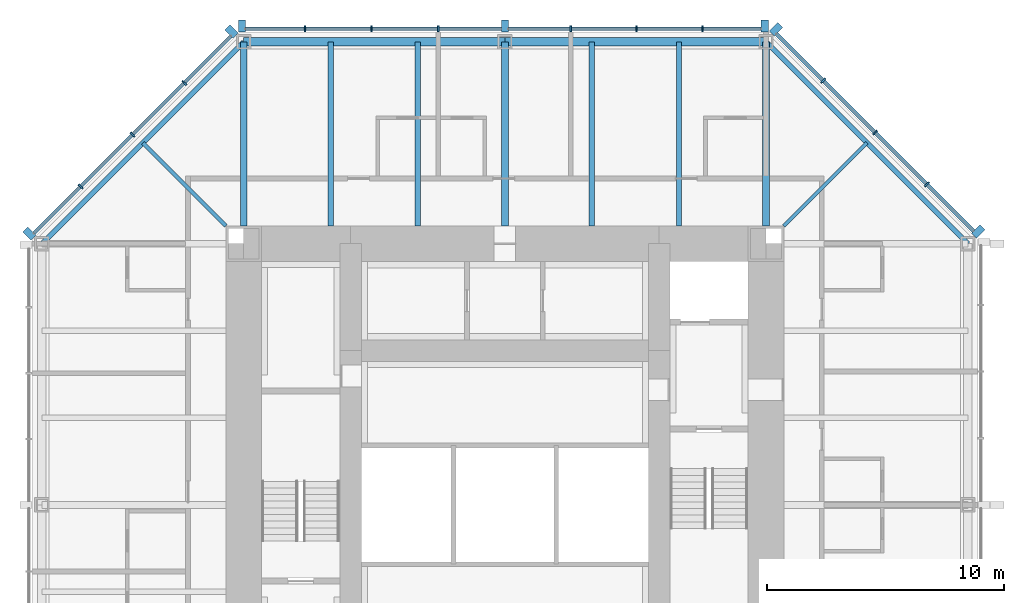
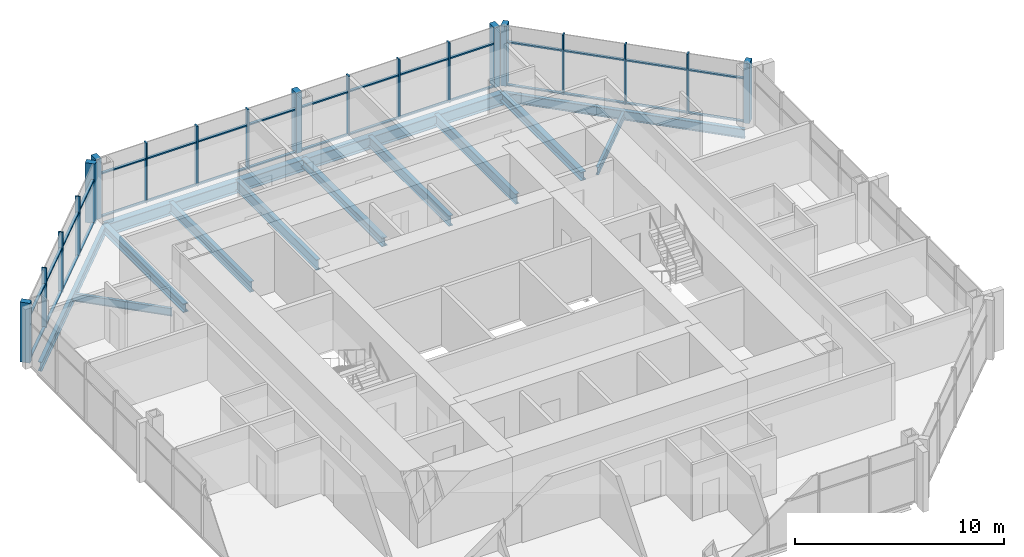
# One storey, part 5 of 11: 51 members, 13 beams, 3 elements without a shape of their own.
"""IFC4 building model written with IfcOpenShell, lengths in metres."""

from ifc_helpers import new_model, si_unit, direction, frame, origin, origin_2d, place, context, subcontext, project, spatial, rectangle, i_section, extrude, material, material_profile, profile_set, type_object, element, aggregate, save


model = new_model("IFC4")

# Units and contexts
model_context = context("Model", 3, precision=1e-05, world=origin(), true_north=direction((0.0, 1.0)))
body_context = subcontext(model_context, "Body", "Model", "MODEL_VIEW")
ifc_project = project(units=[si_unit("LENGTHUNIT", "METRE"), si_unit("AREAUNIT", "SQUARE_METRE"), si_unit("VOLUMEUNIT", "CUBIC_METRE"), si_unit("PLANEANGLEUNIT", "RADIAN"), si_unit("MASSUNIT", "GRAM", prefix="KILO")], contexts=[model_context])

# Site, building, storey
site_placement = place(None, origin())
site = spatial("IfcSite", under=ifc_project, at=site_placement, CompositionType="ELEMENT")
building_placement = place(site_placement, origin())
building = spatial("IfcBuilding", under=site, at=building_placement, Name="Trevanion Tower", CompositionType="ELEMENT")
storey_placement = place(building_placement, frame((0.0, 0.0, 218.699951171875)))
storey = spatial("IfcBuildingStorey", under=building, at=storey_placement, Name="L52", CompositionType="ELEMENT", Elevation=218.699951171875)

# Beams
ifc_material_1 = material(Name="Steel ASTM A992 Grade 50", Category="steel")
ifc_material_profile_1 = material_profile(ifc_material_1, i_section(OverallWidth=0.228271484375, OverallDepth=0.607177734375, WebThickness=0.01123046875, FlangeThickness=0.017333984375, at=origin_2d()), Name="W24X76")
ifc_profile_set_1 = profile_set([ifc_material_profile_1], Name="Steel ASTM A992 Grade 50")
beam_type_1 = type_object("IfcBeamType", Name="B11 W24X76", PredefinedType="BEAM", material=ifc_profile_set_1)
for number, where, z_axis, x_axis, name in (
    (1, (7.333251953125, 11.75, -0.493408203125), (0.0, 1.0, 0.0), (-1.0, 0.0, 0.0), "B11 L52"),
    (2, (3.666748046875, 11.75, -0.493408203125), (0.0, 1.0, 0.0), (-1.0, 0.0, 0.0), "B11 L52"),
    (3, (-3.666748046875, 11.75, -0.493408203125), (0.0, 1.0, 0.0), (-1.0, 0.0, 0.0), "B11 L52"),
    (4, (-7.333251953125, 11.75, -0.493408203125), (0.0, 1.0, 0.0), (-1.0, 0.0, 0.0), "B11 L52"),
):
    element("IfcBeam", number, at=place(storey_placement, frame(where, z_axis=z_axis, x_axis=x_axis)), inside=storey, type_object=beam_type_1, Name=name, PredefinedType="BEAM", context=body_context, shape_type="SweptSolid", body=[
        extrude(i_section(OverallWidth=0.228271484375, OverallDepth=0.607177734375, WebThickness=0.01123046875, FlangeThickness=0.017333984375, at=origin_2d()), origin(), (0.0, 0.0, 1.0), 7.75),
    ])
ifc_material_2 = material(Name="Steel ASTM A992 Grade 50", Category="steel")
ifc_material_profile_2 = material_profile(ifc_material_2, i_section(OverallWidth=0.15234375, OverallDepth=0.449462890625, WebThickness=0.007568359375, FlangeThickness=0.0107421875, at=origin_2d()), Name="W18X35")
ifc_profile_set_2 = profile_set([ifc_material_profile_2], Name="Steel ASTM A992 Grade 50")
beam_type_2 = type_object("IfcBeamType", Name="B12 W18X35", PredefinedType="BEAM", material=ifc_profile_set_2)
for number, where, z_axis, x_axis, name in (
    (5, (11.75, 11.75, -0.414794921875), (0.707106781187, 0.707106781187, 0.0), (-0.707106781187, 0.707106781187, 0.0), "B12 L52"),
    (6, (-11.75, 11.75, -0.414794921875), (-0.707106781187, 0.707106781187, 0.0), (-0.707106781187, -0.707106781187, 0.0), "B12 L52"),
):
    element("IfcBeam", number, at=place(storey_placement, frame(where, z_axis=z_axis, x_axis=x_axis)), inside=storey, type_object=beam_type_2, Name=name, PredefinedType="BEAM", context=body_context, shape_type="SweptSolid", body=[
        extrude(i_section(OverallWidth=0.15234375, OverallDepth=0.449462890625, WebThickness=0.007568359375, FlangeThickness=0.0107421875, at=origin_2d()), origin(), (0.0, 0.0, 1.0), 4.94970703125),
    ])

# Curtain wall, members
ifc_material_3 = material(Name="Aluminium and glass", Category="aluminium")
curtain_wall_type = type_object("IfcCurtainWallType", Name="CW3 curtain wall", PredefinedType="USERDEFINED", material=ifc_material_3)
curtain_wall_1_placement = place(storey_placement, origin())
curtain_wall_1 = element("IfcCurtainWall", 7, at=curtain_wall_1_placement, inside=storey, type_object=curtain_wall_type, Name="CW3 L52 1", ObjectType="UNITISED CURTAIN WALL", PredefinedType="USERDEFINED")
ifc_material_4 = material(Name="Aluminium extrusion, anodised bronze", Category="aluminium")
ifc_material_profile_3 = material_profile(ifc_material_4, rectangle(XDim=0.074951171875, YDim=0.25, at=origin_2d()), Name="CW3 mullion")
ifc_profile_set_3 = profile_set([ifc_material_profile_3], Name="Aluminium extrusion, anodised bronze")
member_type_1 = type_object("IfcMemberType", Name="CW3 mullion", PredefinedType="MULLION", material=ifc_profile_set_3)
member_1_placement = place(storey_placement, frame((17.775390625, 13.502197265625, -0.18994140625), z_axis=(0.0, 0.0, 1.0), x_axis=(-0.707106781187, 0.707106781187, 0.0)))
member_1 = element("IfcMember", 8, at=member_1_placement, type_object=member_type_1, Name="CW3 mullion 2", PredefinedType="MULLION", context=body_context, shape_type="SweptSolid", body=[
    extrude(rectangle(XDim=0.074951171875, YDim=0.25, at=origin_2d()), origin(), (0.0, 0.0, 1.0), 3.5),
])
member_2_placement = place(storey_placement, frame((15.593017578125, 15.684814453125, -0.18994140625), z_axis=(0.0, 0.0, 1.0), x_axis=(-0.707106781187, 0.707106781187, 0.0)))
member_2 = element("IfcMember", 9, at=member_2_placement, type_object=member_type_1, Name="CW3 mullion 3", PredefinedType="MULLION", context=body_context, shape_type="SweptSolid", body=[
    extrude(rectangle(XDim=0.074951171875, YDim=0.25, at=origin_2d()), origin(), (0.0, 0.0, 1.0), 3.5),
])
member_3_placement = place(storey_placement, frame((13.410400390625, 17.867431640625, -0.18994140625), z_axis=(0.0, 0.0, 1.0), x_axis=(-0.707106781187, 0.707106781187, 0.0)))
member_3 = element("IfcMember", 10, at=member_3_placement, type_object=member_type_1, Name="CW3 mullion 4", PredefinedType="MULLION", context=body_context, shape_type="SweptSolid", body=[
    extrude(rectangle(XDim=0.074951171875, YDim=0.25, at=origin_2d()), origin(), (0.0, 0.0, 1.0), 3.5),
])

curtain_wall_2_placement = place(storey_placement, origin())
curtain_wall_2 = element("IfcCurtainWall", 11, at=curtain_wall_2_placement, inside=storey, type_object=curtain_wall_type, Name="CW3 L52 2", ObjectType="UNITISED CURTAIN WALL", PredefinedType="USERDEFINED")
member_4_placement = place(storey_placement, frame((8.323486328125, 20.050048828125, -0.18994140625), z_axis=(0.0, 0.0, 1.0), x_axis=(-1.0, 0.0, 0.0)))
member_4 = element("IfcMember", 12, at=member_4_placement, type_object=member_type_1, Name="CW3 mullion 2", PredefinedType="MULLION", context=body_context, shape_type="SweptSolid", body=[
    extrude(rectangle(XDim=0.074951171875, YDim=0.25, at=origin_2d()), origin(), (0.0, 0.0, 1.0), 3.5),
])
member_5_placement = place(storey_placement, frame((5.548828125, 20.050048828125, -0.18994140625), z_axis=(0.0, 0.0, 1.0), x_axis=(-1.0, 0.0, 0.0)))
member_5 = element("IfcMember", 13, at=member_5_placement, type_object=member_type_1, Name="CW3 mullion 3", PredefinedType="MULLION", context=body_context, shape_type="SweptSolid", body=[
    extrude(rectangle(XDim=0.074951171875, YDim=0.25, at=origin_2d()), origin(), (0.0, 0.0, 1.0), 3.5),
])
member_6_placement = place(storey_placement, frame((2.7744140625, 20.050048828125, -0.18994140625), z_axis=(0.0, 0.0, 1.0), x_axis=(-1.0, 0.0, 0.0)))
member_6 = element("IfcMember", 14, at=member_6_placement, type_object=member_type_1, Name="CW3 mullion 4", PredefinedType="MULLION", context=body_context, shape_type="SweptSolid", body=[
    extrude(rectangle(XDim=0.074951171875, YDim=0.25, at=origin_2d()), origin(), (0.0, 0.0, 1.0), 3.5),
])
member_7_placement = place(storey_placement, frame((-2.806884765625, 20.050048828125, -0.18994140625), z_axis=(0.0, 0.0, 1.0), x_axis=(-1.0, 0.0, 0.0)))
member_7 = element("IfcMember", 15, at=member_7_placement, type_object=member_type_1, Name="CW3 mullion 6", PredefinedType="MULLION", context=body_context, shape_type="SweptSolid", body=[
    extrude(rectangle(XDim=0.074951171875, YDim=0.25, at=origin_2d()), origin(), (0.0, 0.0, 1.0), 3.5),
])
member_8_placement = place(storey_placement, frame((-5.614013671875, 20.050048828125, -0.18994140625), z_axis=(0.0, 0.0, 1.0), x_axis=(-1.0, 0.0, 0.0)))
member_8 = element("IfcMember", 16, at=member_8_placement, type_object=member_type_1, Name="CW3 mullion 7", PredefinedType="MULLION", context=body_context, shape_type="SweptSolid", body=[
    extrude(rectangle(XDim=0.074951171875, YDim=0.25, at=origin_2d()), origin(), (0.0, 0.0, 1.0), 3.5),
])
member_9_placement = place(storey_placement, frame((-8.4208984375, 20.050048828125, -0.18994140625), z_axis=(0.0, 0.0, 1.0), x_axis=(-1.0, 0.0, 0.0)))
member_9 = element("IfcMember", 17, at=member_9_placement, type_object=member_type_1, Name="CW3 mullion 8", PredefinedType="MULLION", context=body_context, shape_type="SweptSolid", body=[
    extrude(rectangle(XDim=0.074951171875, YDim=0.25, at=origin_2d()), origin(), (0.0, 0.0, 1.0), 3.5),
])

curtain_wall_3_placement = place(storey_placement, origin())
curtain_wall_3 = element("IfcCurtainWall", 18, at=curtain_wall_3_placement, inside=storey, type_object=curtain_wall_type, Name="CW3 L52 3", ObjectType="UNITISED CURTAIN WALL", PredefinedType="USERDEFINED")
member_10_placement = place(storey_placement, frame((-13.502197265625, 17.775390625, -0.18994140625), z_axis=(0.0, 0.0, 1.0), x_axis=(-0.707106781187, -0.707106781187, 0.0)))
member_10 = element("IfcMember", 19, at=member_10_placement, type_object=member_type_1, Name="CW3 mullion 2", PredefinedType="MULLION", context=body_context, shape_type="SweptSolid", body=[
    extrude(rectangle(XDim=0.074951171875, YDim=0.25, at=origin_2d()), origin(), (0.0, 0.0, 1.0), 3.5),
])
member_11_placement = place(storey_placement, frame((-15.684814453125, 15.593017578125, -0.18994140625), z_axis=(0.0, 0.0, 1.0), x_axis=(-0.707106781187, -0.707106781187, 0.0)))
member_11 = element("IfcMember", 20, at=member_11_placement, type_object=member_type_1, Name="CW3 mullion 3", PredefinedType="MULLION", context=body_context, shape_type="SweptSolid", body=[
    extrude(rectangle(XDim=0.074951171875, YDim=0.25, at=origin_2d()), origin(), (0.0, 0.0, 1.0), 3.5),
])
member_12_placement = place(storey_placement, frame((-17.867431640625, 13.410400390625, -0.18994140625), z_axis=(0.0, 0.0, 1.0), x_axis=(-0.707106781187, -0.707106781187, 0.0)))
member_12 = element("IfcMember", 21, at=member_12_placement, type_object=member_type_1, Name="CW3 mullion 4", PredefinedType="MULLION", context=body_context, shape_type="SweptSolid", body=[
    extrude(rectangle(XDim=0.074951171875, YDim=0.25, at=origin_2d()), origin(), (0.0, 0.0, 1.0), 3.5),
])

# Member
ifc_material_5 = material(Name="Aluminium extrusion, anodised bronze", Category="aluminium")
ifc_material_profile_4 = material_profile(ifc_material_5, rectangle(XDim=0.300048828125, YDim=0.5, at=origin_2d()), Name="CW3 pier mullion")
ifc_profile_set_4 = profile_set([ifc_material_profile_4], Name="Aluminium extrusion, anodised bronze")
member_type_2 = type_object("IfcMemberType", Name="CW3 pier mullion", PredefinedType="MULLION", material=ifc_profile_set_4)
member_13_placement = place(storey_placement, frame((19.9404296875, 11.51416015625, -0.18994140625), z_axis=(0.0, 0.0, 1.0), x_axis=(-0.707106781187, 0.707106781187, 0.0)))
member_13 = element("IfcMember", 22, at=member_13_placement, type_object=member_type_2, Name="CW3 pier mullion 1", PredefinedType="MULLION", context=body_context, shape_type="SweptSolid", body=[
    extrude(rectangle(XDim=0.300048828125, YDim=0.5, at=origin_2d()), origin(), (0.0, 0.0, 1.0), 3.5),
])

member_14_placement = place(storey_placement, frame((11.42236328125, 20.0322265625, -0.18994140625), z_axis=(0.0, 0.0, 1.0), x_axis=(-0.707106781187, 0.707106781187, 0.0)))
member_14 = element("IfcMember", 23, at=member_14_placement, type_object=member_type_2, Name="CW3 pier mullion 5", PredefinedType="MULLION", context=body_context, shape_type="SweptSolid", body=[
    extrude(rectangle(XDim=0.300048828125, YDim=0.5, at=origin_2d()), origin(), (0.0, 0.0, 1.0), 3.5),
])

member_15_placement = place(storey_placement, frame((10.94775390625, 20.175048828125, -0.18994140625), z_axis=(0.0, 0.0, 1.0), x_axis=(-1.0, 0.0, 0.0)))
member_15 = element("IfcMember", 24, at=member_15_placement, type_object=member_type_2, Name="CW3 pier mullion 1", PredefinedType="MULLION", context=body_context, shape_type="SweptSolid", body=[
    extrude(rectangle(XDim=0.300048828125, YDim=0.5, at=origin_2d()), origin(), (0.0, 0.0, 1.0), 3.5),
])

member_16_placement = place(storey_placement, frame((0.0, 20.175048828125, -0.18994140625), z_axis=(0.0, 0.0, 1.0), x_axis=(-1.0, 0.0, 0.0)))
member_16 = element("IfcMember", 25, at=member_16_placement, type_object=member_type_2, Name="CW3 pier mullion 5", PredefinedType="MULLION", context=body_context, shape_type="SweptSolid", body=[
    extrude(rectangle(XDim=0.300048828125, YDim=0.5, at=origin_2d()), origin(), (0.0, 0.0, 1.0), 3.5),
])

member_17_placement = place(storey_placement, frame((-11.077880859375, 20.175048828125, -0.18994140625), z_axis=(0.0, 0.0, 1.0), x_axis=(-1.0, 0.0, 0.0)))
member_17 = element("IfcMember", 26, at=member_17_placement, type_object=member_type_2, Name="CW3 pier mullion 9", PredefinedType="MULLION", context=body_context, shape_type="SweptSolid", body=[
    extrude(rectangle(XDim=0.300048828125, YDim=0.5, at=origin_2d()), origin(), (0.0, 0.0, 1.0), 3.5),
])

member_18_placement = place(storey_placement, frame((-11.51416015625, 19.9404296875, -0.18994140625), z_axis=(0.0, 0.0, 1.0), x_axis=(-0.707106781187, -0.707106781187, 0.0)))
member_18 = element("IfcMember", 27, at=member_18_placement, type_object=member_type_2, Name="CW3 pier mullion 1", PredefinedType="MULLION", context=body_context, shape_type="SweptSolid", body=[
    extrude(rectangle(XDim=0.300048828125, YDim=0.5, at=origin_2d()), origin(), (0.0, 0.0, 1.0), 3.5),
])

member_19_placement = place(storey_placement, frame((-20.0322265625, 11.42236328125, -0.18994140625), z_axis=(0.0, 0.0, 1.0), x_axis=(-0.707106781187, -0.707106781187, 0.0)))
member_19 = element("IfcMember", 28, at=member_19_placement, type_object=member_type_2, Name="CW3 pier mullion 5", PredefinedType="MULLION", context=body_context, shape_type="SweptSolid", body=[
    extrude(rectangle(XDim=0.300048828125, YDim=0.5, at=origin_2d()), origin(), (0.0, 0.0, 1.0), 3.5),
])

ifc_material_6 = material(Name="Aluminium extrusion, anodised bronze", Category="aluminium")
ifc_material_profile_5 = material_profile(ifc_material_6, rectangle(XDim=0.14990234375, YDim=0.074951171875, at=origin_2d()), Name="CW3 transom")
ifc_profile_set_5 = profile_set([ifc_material_profile_5], Name="Aluminium extrusion, anodised bronze")
member_type_3 = type_object("IfcMemberType", Name="CW3 transom", PredefinedType="USERDEFINED", material=ifc_profile_set_5)
member_20_placement = place(storey_placement, frame((19.745849609375, 11.531982421875, -0.15234375), z_axis=(-0.707106781187, 0.707106781187, 0.0), x_axis=(-0.707106781187, -0.707106781187, 0.0)))
member_20 = element("IfcMember", 29, at=member_20_placement, type_object=member_type_3, Name="CW3 transom 1.1", ObjectType="TRANSOM", PredefinedType="USERDEFINED", context=body_context, shape_type="SweptSolid", body=[
    extrude(rectangle(XDim=0.14990234375, YDim=0.074951171875, at=origin_2d()), origin(), (0.0, 0.0, 1.0), 2.7490234375),
])

member_21_placement = place(storey_placement, frame((19.745849609375, 11.531982421875, 2.360107421875), z_axis=(-0.707106781187, 0.707106781187, 0.0), x_axis=(-0.707106781187, -0.707106781187, 0.0)))
member_21 = element("IfcMember", 30, at=member_21_placement, type_object=member_type_3, Name="CW3 transom 1.2", ObjectType="TRANSOM", PredefinedType="USERDEFINED", context=body_context, shape_type="SweptSolid", body=[
    extrude(rectangle(XDim=0.14990234375, YDim=0.074951171875, at=origin_2d()), origin(), (0.0, 0.0, 1.0), 2.7490234375),
])

member_22_placement = place(storey_placement, frame((17.7490234375, 13.52880859375, -0.15234375), z_axis=(-0.707106781187, 0.707106781187, 0.0), x_axis=(-0.707106781187, -0.707106781187, 0.0)))
member_22 = element("IfcMember", 31, at=member_22_placement, type_object=member_type_3, Name="CW3 transom 2.1", ObjectType="TRANSOM", PredefinedType="USERDEFINED", context=body_context, shape_type="SweptSolid", body=[
    extrude(rectangle(XDim=0.14990234375, YDim=0.074951171875, at=origin_2d()), origin(), (0.0, 0.0, 1.0), 3.01171875),
])

member_23_placement = place(storey_placement, frame((17.7490234375, 13.52880859375, 2.360107421875), z_axis=(-0.707106781187, 0.707106781187, 0.0), x_axis=(-0.707106781187, -0.707106781187, 0.0)))
member_23 = element("IfcMember", 32, at=member_23_placement, type_object=member_type_3, Name="CW3 transom 2.2", ObjectType="TRANSOM", PredefinedType="USERDEFINED", context=body_context, shape_type="SweptSolid", body=[
    extrude(rectangle(XDim=0.14990234375, YDim=0.074951171875, at=origin_2d()), origin(), (0.0, 0.0, 1.0), 3.01171875),
])

member_24_placement = place(storey_placement, frame((15.56640625, 15.71142578125, -0.15234375), z_axis=(-0.707106781187, 0.707106781187, 0.0), x_axis=(-0.707106781187, -0.707106781187, 0.0)))
member_24 = element("IfcMember", 33, at=member_24_placement, type_object=member_type_3, Name="CW3 transom 3.1", ObjectType="TRANSOM", PredefinedType="USERDEFINED", context=body_context, shape_type="SweptSolid", body=[
    extrude(rectangle(XDim=0.14990234375, YDim=0.074951171875, at=origin_2d()), origin(), (0.0, 0.0, 1.0), 3.011474609375),
])

member_25_placement = place(storey_placement, frame((15.56640625, 15.71142578125, 2.360107421875), z_axis=(-0.707106781187, 0.707106781187, 0.0), x_axis=(-0.707106781187, -0.707106781187, 0.0)))
member_25 = element("IfcMember", 34, at=member_25_placement, type_object=member_type_3, Name="CW3 transom 3.2", ObjectType="TRANSOM", PredefinedType="USERDEFINED", context=body_context, shape_type="SweptSolid", body=[
    extrude(rectangle(XDim=0.14990234375, YDim=0.074951171875, at=origin_2d()), origin(), (0.0, 0.0, 1.0), 3.011474609375),
])

member_26_placement = place(storey_placement, frame((13.3837890625, 17.89404296875, -0.15234375), z_axis=(-0.707106781187, 0.707106781187, 0.0), x_axis=(-0.707106781187, -0.707106781187, 0.0)))
member_26 = element("IfcMember", 35, at=member_26_placement, type_object=member_type_3, Name="CW3 transom 4.1", ObjectType="TRANSOM", PredefinedType="USERDEFINED", context=body_context, shape_type="SweptSolid", body=[
    extrude(rectangle(XDim=0.14990234375, YDim=0.074951171875, at=origin_2d()), origin(), (0.0, 0.0, 1.0), 2.7490234375),
])

member_27_placement = place(storey_placement, frame((13.3837890625, 17.89404296875, 2.360107421875), z_axis=(-0.707106781187, 0.707106781187, 0.0), x_axis=(-0.707106781187, -0.707106781187, 0.0)))
member_27 = element("IfcMember", 36, at=member_27_placement, type_object=member_type_3, Name="CW3 transom 4.2", ObjectType="TRANSOM", PredefinedType="USERDEFINED", context=body_context, shape_type="SweptSolid", body=[
    extrude(rectangle(XDim=0.14990234375, YDim=0.074951171875, at=origin_2d()), origin(), (0.0, 0.0, 1.0), 2.7490234375),
])

aggregate(curtain_wall_1, [member_13, member_1, member_2, member_3, member_14, member_20, member_21, member_22, member_23, member_24, member_25, member_26, member_27])

member_28_placement = place(storey_placement, frame((10.7978515625, 20.050048828125, -0.15234375), z_axis=(-1.0, 0.0, 0.0), x_axis=(0.0, -1.0, 0.0)))
member_28 = element("IfcMember", 37, at=member_28_placement, type_object=member_type_3, Name="CW3 transom 1.1", ObjectType="TRANSOM", PredefinedType="USERDEFINED", context=body_context, shape_type="SweptSolid", body=[
    extrude(rectangle(XDim=0.14990234375, YDim=0.074951171875, at=origin_2d()), origin(), (0.0, 0.0, 1.0), 2.43701171875),
])

member_29_placement = place(storey_placement, frame((10.7978515625, 20.050048828125, 2.360107421875), z_axis=(-1.0, 0.0, 0.0), x_axis=(0.0, -1.0, 0.0)))
member_29 = element("IfcMember", 38, at=member_29_placement, type_object=member_type_3, Name="CW3 transom 1.2", ObjectType="TRANSOM", PredefinedType="USERDEFINED", context=body_context, shape_type="SweptSolid", body=[
    extrude(rectangle(XDim=0.14990234375, YDim=0.074951171875, at=origin_2d()), origin(), (0.0, 0.0, 1.0), 2.43701171875),
])

member_30_placement = place(storey_placement, frame((8.285888671875, 20.050048828125, -0.15234375), z_axis=(-1.0, 0.0, 0.0), x_axis=(0.0, -1.0, 0.0)))
member_30 = element("IfcMember", 39, at=member_30_placement, type_object=member_type_3, Name="CW3 transom 2.1", ObjectType="TRANSOM", PredefinedType="USERDEFINED", context=body_context, shape_type="SweptSolid", body=[
    extrude(rectangle(XDim=0.14990234375, YDim=0.074951171875, at=origin_2d()), origin(), (0.0, 0.0, 1.0), 2.699462890625),
])

member_31_placement = place(storey_placement, frame((8.285888671875, 20.050048828125, 2.360107421875), z_axis=(-1.0, 0.0, 0.0), x_axis=(0.0, -1.0, 0.0)))
member_31 = element("IfcMember", 40, at=member_31_placement, type_object=member_type_3, Name="CW3 transom 2.2", ObjectType="TRANSOM", PredefinedType="USERDEFINED", context=body_context, shape_type="SweptSolid", body=[
    extrude(rectangle(XDim=0.14990234375, YDim=0.074951171875, at=origin_2d()), origin(), (0.0, 0.0, 1.0), 2.699462890625),
])

member_32_placement = place(storey_placement, frame((5.511474609375, 20.050048828125, -0.15234375), z_axis=(-1.0, 0.0, 0.0), x_axis=(0.0, -1.0, 0.0)))
member_32 = element("IfcMember", 41, at=member_32_placement, type_object=member_type_3, Name="CW3 transom 3.1", ObjectType="TRANSOM", PredefinedType="USERDEFINED", context=body_context, shape_type="SweptSolid", body=[
    extrude(rectangle(XDim=0.14990234375, YDim=0.074951171875, at=origin_2d()), origin(), (0.0, 0.0, 1.0), 2.699462890625),
])

member_33_placement = place(storey_placement, frame((5.511474609375, 20.050048828125, 2.360107421875), z_axis=(-1.0, 0.0, 0.0), x_axis=(0.0, -1.0, 0.0)))
member_33 = element("IfcMember", 42, at=member_33_placement, type_object=member_type_3, Name="CW3 transom 3.2", ObjectType="TRANSOM", PredefinedType="USERDEFINED", context=body_context, shape_type="SweptSolid", body=[
    extrude(rectangle(XDim=0.14990234375, YDim=0.074951171875, at=origin_2d()), origin(), (0.0, 0.0, 1.0), 2.699462890625),
])

member_34_placement = place(storey_placement, frame((2.737060546875, 20.050048828125, -0.15234375), z_axis=(-1.0, 0.0, 0.0), x_axis=(0.0, -1.0, 0.0)))
member_34 = element("IfcMember", 43, at=member_34_placement, type_object=member_type_3, Name="CW3 transom 4.1", ObjectType="TRANSOM", PredefinedType="USERDEFINED", context=body_context, shape_type="SweptSolid", body=[
    extrude(rectangle(XDim=0.14990234375, YDim=0.074951171875, at=origin_2d()), origin(), (0.0, 0.0, 1.0), 2.587158203125),
])

member_35_placement = place(storey_placement, frame((2.737060546875, 20.050048828125, 2.360107421875), z_axis=(-1.0, 0.0, 0.0), x_axis=(0.0, -1.0, 0.0)))
member_35 = element("IfcMember", 44, at=member_35_placement, type_object=member_type_3, Name="CW3 transom 4.2", ObjectType="TRANSOM", PredefinedType="USERDEFINED", context=body_context, shape_type="SweptSolid", body=[
    extrude(rectangle(XDim=0.14990234375, YDim=0.074951171875, at=origin_2d()), origin(), (0.0, 0.0, 1.0), 2.587158203125),
])

member_36_placement = place(storey_placement, frame((-0.14990234375, 20.050048828125, -0.15234375), z_axis=(-1.0, 0.0, 0.0), x_axis=(0.0, -1.0, 0.0)))
member_36 = element("IfcMember", 45, at=member_36_placement, type_object=member_type_3, Name="CW3 transom 5.1", ObjectType="TRANSOM", PredefinedType="USERDEFINED", context=body_context, shape_type="SweptSolid", body=[
    extrude(rectangle(XDim=0.14990234375, YDim=0.074951171875, at=origin_2d()), origin(), (0.0, 0.0, 1.0), 2.619384765625),
])

member_37_placement = place(storey_placement, frame((-0.14990234375, 20.050048828125, 2.360107421875), z_axis=(-1.0, 0.0, 0.0), x_axis=(0.0, -1.0, 0.0)))
member_37 = element("IfcMember", 46, at=member_37_placement, type_object=member_type_3, Name="CW3 transom 5.2", ObjectType="TRANSOM", PredefinedType="USERDEFINED", context=body_context, shape_type="SweptSolid", body=[
    extrude(rectangle(XDim=0.14990234375, YDim=0.074951171875, at=origin_2d()), origin(), (0.0, 0.0, 1.0), 2.619384765625),
])

member_38_placement = place(storey_placement, frame((-2.844482421875, 20.050048828125, -0.15234375), z_axis=(-1.0, 0.0, 0.0), x_axis=(0.0, -1.0, 0.0)))
member_38 = element("IfcMember", 47, at=member_38_placement, type_object=member_type_3, Name="CW3 transom 6.1", ObjectType="TRANSOM", PredefinedType="USERDEFINED", context=body_context, shape_type="SweptSolid", body=[
    extrude(rectangle(XDim=0.14990234375, YDim=0.074951171875, at=origin_2d()), origin(), (0.0, 0.0, 1.0), 2.73193359375),
])

member_39_placement = place(storey_placement, frame((-2.844482421875, 20.050048828125, 2.360107421875), z_axis=(-1.0, 0.0, 0.0), x_axis=(0.0, -1.0, 0.0)))
member_39 = element("IfcMember", 48, at=member_39_placement, type_object=member_type_3, Name="CW3 transom 6.2", ObjectType="TRANSOM", PredefinedType="USERDEFINED", context=body_context, shape_type="SweptSolid", body=[
    extrude(rectangle(XDim=0.14990234375, YDim=0.074951171875, at=origin_2d()), origin(), (0.0, 0.0, 1.0), 2.73193359375),
])

member_40_placement = place(storey_placement, frame((-5.6513671875, 20.050048828125, -0.15234375), z_axis=(-1.0, 0.0, 0.0), x_axis=(0.0, -1.0, 0.0)))
member_40 = element("IfcMember", 49, at=member_40_placement, type_object=member_type_3, Name="CW3 transom 7.1", ObjectType="TRANSOM", PredefinedType="USERDEFINED", context=body_context, shape_type="SweptSolid", body=[
    extrude(rectangle(XDim=0.14990234375, YDim=0.074951171875, at=origin_2d()), origin(), (0.0, 0.0, 1.0), 2.73193359375),
])

member_41_placement = place(storey_placement, frame((-5.6513671875, 20.050048828125, 2.360107421875), z_axis=(-1.0, 0.0, 0.0), x_axis=(0.0, -1.0, 0.0)))
member_41 = element("IfcMember", 50, at=member_41_placement, type_object=member_type_3, Name="CW3 transom 7.2", ObjectType="TRANSOM", PredefinedType="USERDEFINED", context=body_context, shape_type="SweptSolid", body=[
    extrude(rectangle(XDim=0.14990234375, YDim=0.074951171875, at=origin_2d()), origin(), (0.0, 0.0, 1.0), 2.73193359375),
])

member_42_placement = place(storey_placement, frame((-8.45849609375, 20.050048828125, -0.15234375), z_axis=(-1.0, 0.0, 0.0), x_axis=(0.0, -1.0, 0.0)))
member_42 = element("IfcMember", 51, at=member_42_placement, type_object=member_type_3, Name="CW3 transom 8.1", ObjectType="TRANSOM", PredefinedType="USERDEFINED", context=body_context, shape_type="SweptSolid", body=[
    extrude(rectangle(XDim=0.14990234375, YDim=0.074951171875, at=origin_2d()), origin(), (0.0, 0.0, 1.0), 2.46923828125),
])

member_43_placement = place(storey_placement, frame((-8.45849609375, 20.050048828125, 2.360107421875), z_axis=(-1.0, 0.0, 0.0), x_axis=(0.0, -1.0, 0.0)))
member_43 = element("IfcMember", 52, at=member_43_placement, type_object=member_type_3, Name="CW3 transom 8.2", ObjectType="TRANSOM", PredefinedType="USERDEFINED", context=body_context, shape_type="SweptSolid", body=[
    extrude(rectangle(XDim=0.14990234375, YDim=0.074951171875, at=origin_2d()), origin(), (0.0, 0.0, 1.0), 2.46923828125),
])

aggregate(curtain_wall_2, [member_15, member_4, member_5, member_6, member_16, member_7, member_8, member_9, member_17, member_28, member_29, member_30, member_31, member_32, member_33, member_34, member_35, member_36, member_37, member_38, member_39, member_40, member_41, member_42, member_43])

member_44_placement = place(storey_placement, frame((-11.531982421875, 19.745849609375, -0.15234375), z_axis=(-0.707106781187, -0.707106781187, 0.0), x_axis=(0.707106781187, -0.707106781187, 0.0)))
member_44 = element("IfcMember", 53, at=member_44_placement, type_object=member_type_3, Name="CW3 transom 1.1", ObjectType="TRANSOM", PredefinedType="USERDEFINED", context=body_context, shape_type="SweptSolid", body=[
    extrude(rectangle(XDim=0.14990234375, YDim=0.074951171875, at=origin_2d()), origin(), (0.0, 0.0, 1.0), 2.7490234375),
])

member_45_placement = place(storey_placement, frame((-11.531982421875, 19.745849609375, 2.360107421875), z_axis=(-0.707106781187, -0.707106781187, 0.0), x_axis=(0.707106781187, -0.707106781187, 0.0)))
member_45 = element("IfcMember", 54, at=member_45_placement, type_object=member_type_3, Name="CW3 transom 1.2", ObjectType="TRANSOM", PredefinedType="USERDEFINED", context=body_context, shape_type="SweptSolid", body=[
    extrude(rectangle(XDim=0.14990234375, YDim=0.074951171875, at=origin_2d()), origin(), (0.0, 0.0, 1.0), 2.7490234375),
])

member_46_placement = place(storey_placement, frame((-13.52880859375, 17.7490234375, -0.15234375), z_axis=(-0.707106781187, -0.707106781187, 0.0), x_axis=(0.707106781187, -0.707106781187, 0.0)))
member_46 = element("IfcMember", 55, at=member_46_placement, type_object=member_type_3, Name="CW3 transom 2.1", ObjectType="TRANSOM", PredefinedType="USERDEFINED", context=body_context, shape_type="SweptSolid", body=[
    extrude(rectangle(XDim=0.14990234375, YDim=0.074951171875, at=origin_2d()), origin(), (0.0, 0.0, 1.0), 3.01171875),
])

member_47_placement = place(storey_placement, frame((-13.52880859375, 17.7490234375, 2.360107421875), z_axis=(-0.707106781187, -0.707106781187, 0.0), x_axis=(0.707106781187, -0.707106781187, 0.0)))
member_47 = element("IfcMember", 56, at=member_47_placement, type_object=member_type_3, Name="CW3 transom 2.2", ObjectType="TRANSOM", PredefinedType="USERDEFINED", context=body_context, shape_type="SweptSolid", body=[
    extrude(rectangle(XDim=0.14990234375, YDim=0.074951171875, at=origin_2d()), origin(), (0.0, 0.0, 1.0), 3.01171875),
])

member_48_placement = place(storey_placement, frame((-15.71142578125, 15.56640625, -0.15234375), z_axis=(-0.707106781187, -0.707106781187, 0.0), x_axis=(0.707106781187, -0.707106781187, 0.0)))
member_48 = element("IfcMember", 57, at=member_48_placement, type_object=member_type_3, Name="CW3 transom 3.1", ObjectType="TRANSOM", PredefinedType="USERDEFINED", context=body_context, shape_type="SweptSolid", body=[
    extrude(rectangle(XDim=0.14990234375, YDim=0.074951171875, at=origin_2d()), origin(), (0.0, 0.0, 1.0), 3.011474609375),
])

member_49_placement = place(storey_placement, frame((-15.71142578125, 15.56640625, 2.360107421875), z_axis=(-0.707106781187, -0.707106781187, 0.0), x_axis=(0.707106781187, -0.707106781187, 0.0)))
member_49 = element("IfcMember", 58, at=member_49_placement, type_object=member_type_3, Name="CW3 transom 3.2", ObjectType="TRANSOM", PredefinedType="USERDEFINED", context=body_context, shape_type="SweptSolid", body=[
    extrude(rectangle(XDim=0.14990234375, YDim=0.074951171875, at=origin_2d()), origin(), (0.0, 0.0, 1.0), 3.011474609375),
])

member_50_placement = place(storey_placement, frame((-17.89404296875, 13.3837890625, -0.15234375), z_axis=(-0.707106781187, -0.707106781187, 0.0), x_axis=(0.707106781187, -0.707106781187, 0.0)))
member_50 = element("IfcMember", 59, at=member_50_placement, type_object=member_type_3, Name="CW3 transom 4.1", ObjectType="TRANSOM", PredefinedType="USERDEFINED", context=body_context, shape_type="SweptSolid", body=[
    extrude(rectangle(XDim=0.14990234375, YDim=0.074951171875, at=origin_2d()), origin(), (0.0, 0.0, 1.0), 2.7490234375),
])

member_51_placement = place(storey_placement, frame((-17.89404296875, 13.3837890625, 2.360107421875), z_axis=(-0.707106781187, -0.707106781187, 0.0), x_axis=(0.707106781187, -0.707106781187, 0.0)))
member_51 = element("IfcMember", 60, at=member_51_placement, type_object=member_type_3, Name="CW3 transom 4.2", ObjectType="TRANSOM", PredefinedType="USERDEFINED", context=body_context, shape_type="SweptSolid", body=[
    extrude(rectangle(XDim=0.14990234375, YDim=0.074951171875, at=origin_2d()), origin(), (0.0, 0.0, 1.0), 2.7490234375),
])

aggregate(curtain_wall_3, [member_18, member_10, member_11, member_12, member_19, member_44, member_45, member_46, member_47, member_48, member_49, member_50, member_51])

# Beams
ifc_material_7 = material(Name="Steel ASTM A992 Grade 50", Category="steel")
ifc_material_profile_6 = material_profile(ifc_material_7, i_section(OverallWidth=0.28955078125, OverallDepth=0.508056640625, WebThickness=0.022705078125, FlangeThickness=0.040283203125, at=origin_2d()), Name="W18X175")
ifc_profile_set_6 = profile_set([ifc_material_profile_6], Name="Steel ASTM A992 Grade 50")
beam_type_3 = type_object("IfcBeamType", Name="G6 W18X175", PredefinedType="BEAM", material=ifc_profile_set_6)
for number, where, z_axis, x_axis, name in (
    (61, (11.0, 11.75, -0.44384765625), (0.0, 1.0, 0.0), (-1.0, 0.0, 0.0), "G6 L52"),
    (62, (0.0, 11.75, -0.44384765625), (0.0, 1.0, 0.0), (-1.0, 0.0, 0.0), "G6 L52"),
    (63, (-11.0, 11.75, -0.44384765625), (0.0, 1.0, 0.0), (-1.0, 0.0, 0.0), "G6 L52"),
):
    element("IfcBeam", number, at=place(storey_placement, frame(where, z_axis=z_axis, x_axis=x_axis)), inside=storey, type_object=beam_type_3, Name=name, PredefinedType="BEAM", context=body_context, shape_type="SweptSolid", body=[
        extrude(i_section(OverallWidth=0.28955078125, OverallDepth=0.508056640625, WebThickness=0.022705078125, FlangeThickness=0.040283203125, at=origin_2d()), origin(), (0.0, 0.0, 1.0), 7.75),
    ])
ifc_material_8 = material(Name="Steel ASTM A992 Grade 50", Category="steel")
ifc_material_profile_7 = material_profile(ifc_material_8, i_section(OverallWidth=0.355712890625, OverallDepth=0.696044921875, WebThickness=0.015380859375, FlangeThickness=0.024658203125, at=origin_2d()), Name="W27X146")
ifc_profile_set_7 = profile_set([ifc_material_profile_7], Name="Steel ASTM A992 Grade 50")
beam_type_4 = type_object("IfcBeamType", Name="SB8 W27X146", PredefinedType="SPANDREL", material=ifc_profile_set_7)
for number, where, z_axis, x_axis, name in (
    (64, (11.0, 19.5, -0.537841796875), (-1.0, 0.0, 0.0), (0.0, -1.0, 0.0), "SB8 L52"),
    (65, (0.0, 19.5, -0.537841796875), (-1.0, 0.0, 0.0), (0.0, -1.0, 0.0), "SB8 L52"),
):
    element("IfcBeam", number, at=place(storey_placement, frame(where, z_axis=z_axis, x_axis=x_axis)), inside=storey, type_object=beam_type_4, Name=name, PredefinedType="SPANDREL", context=body_context, shape_type="SweptSolid", body=[
        extrude(i_section(OverallWidth=0.355712890625, OverallDepth=0.696044921875, WebThickness=0.015380859375, FlangeThickness=0.024658203125, at=origin_2d()), origin(), (0.0, 0.0, 1.0), 11.0),
    ])
ifc_material_9 = material(Name="Steel ASTM A992 Grade 50", Category="steel")
ifc_material_profile_8 = material_profile(ifc_material_9, i_section(OverallWidth=0.209228515625, OverallDepth=0.533447265625, WebThickness=0.01025390625, FlangeThickness=0.015625, at=origin_2d()), Name="W21X62")
ifc_profile_set_8 = profile_set([ifc_material_profile_8], Name="Steel ASTM A992 Grade 50")
beam_type_5 = type_object("IfcBeamType", Name="SB9 W21X62", PredefinedType="SPANDREL", material=ifc_profile_set_8)
for number, where, z_axis, x_axis, name in (
    (66, (19.5, 11.0, -0.45654296875), (-0.707106781187, 0.707106781187, 0.0), (-0.707106781187, -0.707106781187, 0.0), "SB9 L52"),
    (67, (-11.0, 19.5, -0.45654296875), (-0.707106781187, -0.707106781187, 0.0), (0.707106781187, -0.707106781187, 0.0), "SB9 L52"),
):
    element("IfcBeam", number, at=place(storey_placement, frame(where, z_axis=z_axis, x_axis=x_axis)), inside=storey, type_object=beam_type_5, Name=name, PredefinedType="SPANDREL", context=body_context, shape_type="SweptSolid", body=[
        extrude(i_section(OverallWidth=0.209228515625, OverallDepth=0.533447265625, WebThickness=0.01025390625, FlangeThickness=0.015625, at=origin_2d()), origin(), (0.0, 0.0, 1.0), 12.020751953125),
    ])

save(model, "model.ifc")
